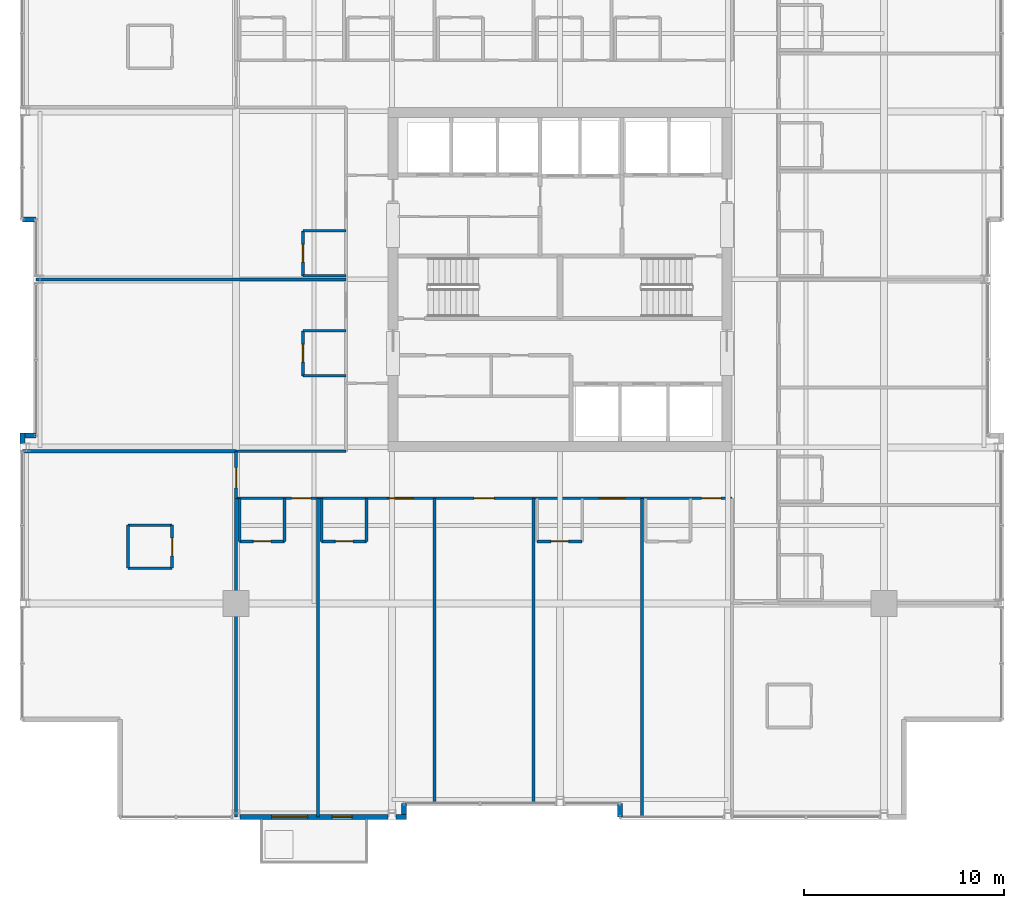
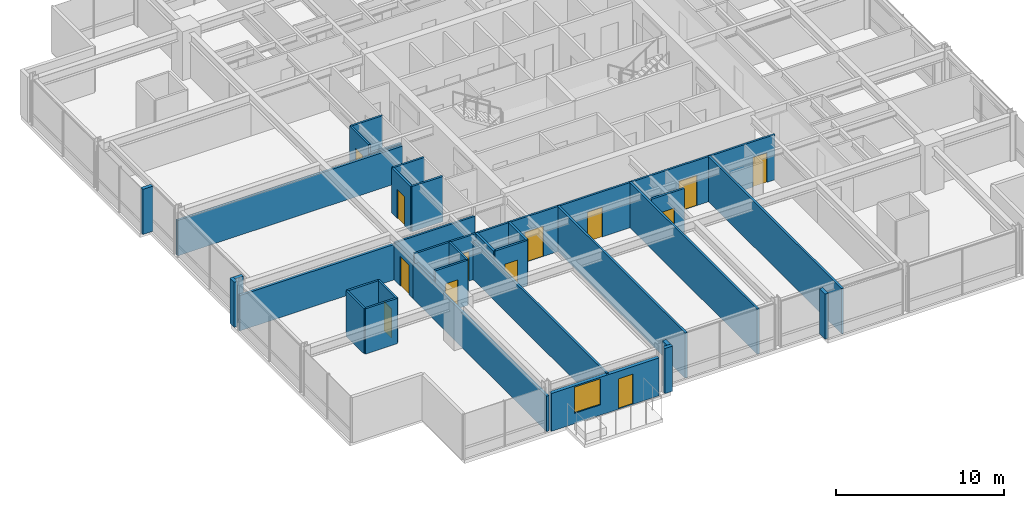
# One storey, part 26 of 32: 34 walls, 13 doors, 1 window, 14 openings.
"""IFC4 building model written with IfcOpenShell, lengths in metres."""

from ifc_helpers import new_model, si_unit, direction, frame, frame_2d, origin, place, context, subcontext, project, spatial, rectangle, extrude, material, layer, layer_set, type_object, element, fill, save


model = new_model("IFC4")

# Units and contexts
model_context = context("Model", 3, precision=1e-05, world=origin(), true_north=direction((0.0, 1.0)))
body_context = subcontext(model_context, "Body", "Model", "MODEL_VIEW")
ifc_project = project(units=[si_unit("LENGTHUNIT", "METRE"), si_unit("AREAUNIT", "SQUARE_METRE"), si_unit("VOLUMEUNIT", "CUBIC_METRE"), si_unit("PLANEANGLEUNIT", "RADIAN"), si_unit("MASSUNIT", "GRAM", prefix="KILO")], contexts=[model_context])

# Site, building, storey
site_placement = place(None, origin())
site = spatial("IfcSite", under=ifc_project, at=site_placement, CompositionType="ELEMENT")
building_placement = place(site_placement, origin())
building = spatial("IfcBuilding", under=site, at=building_placement, Name="Drelvath Grand Hotel", CompositionType="ELEMENT")
storey_placement = place(building_placement, frame((0.0, 0.0, 150.39990234375)))
storey = spatial("IfcBuildingStorey", under=building, at=storey_placement, Name="L38", CompositionType="ELEMENT", Elevation=150.39990234375)

# Wall
ifc_material_1 = material(Name="Gypsum Fireboard Partition")
ifc_layer_1 = layer(ifc_material_1, 0.135009765625)
ifc_layer_set_1 = layer_set([ifc_layer_1], Name="Gypsum Fireboard Partition")
wall_type_1 = type_object("IfcWallType", Name="Corridor Fire Barrier Wall 135", PredefinedType="PARTITIONING", material=ifc_layer_set_1)
wall_1_placement = place(storey_placement, frame((-16.199951171875, 18.39990234375, 0.0), z_axis=(0.0, 0.0, 1.0), x_axis=(1.0, 0.0, 0.0)))
element("IfcWall", 1, at=wall_1_placement, inside=storey, type_object=wall_type_1, Name="L38 SW Stub North Wall", PredefinedType="PARTITIONING", context=body_context, shape_type="SweptSolid", body=[
    extrude(rectangle(XDim=5.5, YDim=0.135009765625, at=frame_2d((2.75, 0.0))), origin(), (0.0, 0.0, 1.0), 2.66748046875),
])

# Wall, openings, doors
wall_2_placement = place(storey_placement, frame((-16.199951171875, 16.050048828125, 0.0), z_axis=(0.0, 0.0, 1.0), x_axis=(1.0, 0.0, 0.0)))
wall_2 = element("IfcWall", 2, at=wall_2_placement, inside=storey, type_object=wall_type_1, Name="L38 South Stub Corridor Wall", PredefinedType="PARTITIONING", context=body_context, shape_type="SweptSolid", body=[
    extrude(rectangle(XDim=24.800048828125, YDim=0.135009765625, at=frame_2d((12.39990234375, 0.0))), origin(), (0.0, 0.0, 1.0), 3.2900390625),
])
opening_1_placement = place(wall_2_placement, frame((2.784912109375, 0.0, 0.0)))
opening_1 = element("IfcOpeningElement", 3, at=opening_1_placement, cuts=wall_2, Name="Opening D-T3G1-035", PredefinedType="OPENING", context=body_context, shape_type="SweptSolid", body=[
    extrude(rectangle(XDim=0.9599609375, YDim=2.14990234375, at=frame_2d((0.47998046875, 1.074951171875))), frame((0.0, 0.077392578125, 0.0), z_axis=(0.0, -1.0, 0.0), x_axis=(1.0, 0.0, 0.0)), (0.0, 0.0, 1.0), 0.155029296875),
])
opening_2_placement = place(wall_2_placement, frame((7.594970703125, 0.0, 0.0)))
opening_2 = element("IfcOpeningElement", 4, at=opening_2_placement, cuts=wall_2, Name="Opening D-T3G1-037", PredefinedType="OPENING", context=body_context, shape_type="SweptSolid", body=[
    extrude(rectangle(XDim=1.260009765625, YDim=2.199951171875, at=frame_2d((0.6298828125, 1.10009765625))), frame((0.0, 0.077392578125, 0.0), z_axis=(0.0, -1.0, 0.0), x_axis=(1.0, 0.0, 0.0)), (0.0, 0.0, 1.0), 0.155029296875),
])
opening_3_placement = place(wall_2_placement, frame((11.889892578125, 0.0, 0.0)))
opening_3 = element("IfcOpeningElement", 5, at=opening_3_placement, cuts=wall_2, Name="Opening D-T3G1-038", PredefinedType="OPENING", context=body_context, shape_type="SweptSolid", body=[
    extrude(rectangle(XDim=1.02001953125, YDim=2.14990234375, at=frame_2d((0.510009765625, 1.074951171875))), frame((0.0, 0.077392578125, 0.0), z_axis=(0.0, -1.0, 0.0), x_axis=(1.0, 0.0, 0.0)), (0.0, 0.0, 1.0), 0.155029296875),
])
opening_4_placement = place(wall_2_placement, frame((18.17041015625, 0.0, 0.0)))
opening_4 = element("IfcOpeningElement", 6, at=opening_4_placement, cuts=wall_2, Name="Opening D-T3G1-040", PredefinedType="OPENING", context=body_context, shape_type="SweptSolid", body=[
    extrude(rectangle(XDim=1.260009765625, YDim=2.199951171875, at=frame_2d((0.6298828125, 1.10009765625))), frame((0.0, 0.077392578125, 0.0), z_axis=(0.0, -1.0, 0.0), x_axis=(1.0, 0.0, 0.0)), (0.0, 0.0, 1.0), 0.155029296875),
])
opening_5_placement = place(wall_2_placement, frame((23.280517578125, 0.0, 0.0)))
opening_5 = element("IfcOpeningElement", 7, at=opening_5_placement, cuts=wall_2, Name="Opening D-T3G1-042", PredefinedType="OPENING", context=body_context, shape_type="SweptSolid", body=[
    extrude(rectangle(XDim=0.9599609375, YDim=2.14990234375, at=frame_2d((0.47998046875, 1.074951171875))), frame((0.0, 0.077392578125, 0.0), z_axis=(0.0, -1.0, 0.0), x_axis=(1.0, 0.0, 0.0)), (0.0, 0.0, 1.0), 0.155029296875),
])
ifc_material_2 = material(Name="Hardwood Walnut Timber", Category="wood")
door_type_1 = type_object("IfcDoorType", Name="Amenity Meeting Fire Door 1020x2150", OperationType="NOTDEFINED", PredefinedType="DOOR", material=ifc_material_2)
door_1_placement = place(opening_3_placement, origin())
door_1 = element("IfcDoor", 8, at=door_1_placement, inside=storey, type_object=door_type_1, Name="L38 Sky Tea Lounge Entry Door", OperationType="SINGLE_SWING_RIGHT", OverallHeight=2.14990234375, OverallWidth=1.02001953125, PredefinedType="DOOR", context=body_context, shape_type="SweptSolid", body=[
    extrude(rectangle(XDim=1.02001953125, YDim=2.14990234375, at=frame_2d((0.510009765625, 1.074951171875))), frame((0.0, 0.02490234375, 0.0), z_axis=(0.0, -1.0, 0.0), x_axis=(1.0, 0.0, 0.0)), (0.0, 0.0, 1.0), 0.050048828125),
])
fill(opening_3, door_1)
door_type_2 = type_object("IfcDoorType", Name="Guestroom Entrance Fire Door 960x2150", OperationType="NOTDEFINED", PredefinedType="DOOR", material=ifc_material_2)
door_2_placement = place(opening_1_placement, origin())
door_2 = element("IfcDoor", 9, at=door_2_placement, inside=storey, type_object=door_type_2, Name="L38 King Guest Room Entry Door", OperationType="SINGLE_SWING_LEFT", OverallHeight=2.14990234375, OverallWidth=0.9599609375, PredefinedType="DOOR", context=body_context, shape_type="SweptSolid", body=[
    extrude(rectangle(XDim=0.9599609375, YDim=2.14990234375, at=frame_2d((0.47998046875, 1.074951171875))), frame((0.0, 0.02490234375, 0.0), z_axis=(0.0, -1.0, 0.0), x_axis=(1.0, 0.0, 0.0)), (0.0, 0.0, 1.0), 0.050048828125),
])
fill(opening_1, door_2)
door_3_placement = place(opening_5_placement, origin())
door_3 = element("IfcDoor", 10, at=door_3_placement, inside=storey, type_object=door_type_2, Name="L38 King Guest Room Entry Door", OperationType="SINGLE_SWING_RIGHT", OverallHeight=2.14990234375, OverallWidth=0.9599609375, PredefinedType="DOOR", context=body_context, shape_type="SweptSolid", body=[
    extrude(rectangle(XDim=0.9599609375, YDim=2.14990234375, at=frame_2d((0.47998046875, 1.074951171875))), frame((0.0, 0.02490234375, 0.0), z_axis=(0.0, -1.0, 0.0), x_axis=(1.0, 0.0, 0.0)), (0.0, 0.0, 1.0), 0.050048828125),
])
fill(opening_5, door_3)
door_type_3 = type_object("IfcDoorType", Name="Suite Entrance Fire Door 1260x2200", OperationType="NOTDEFINED", PredefinedType="DOOR", material=ifc_material_2)
door_4_placement = place(opening_2_placement, origin())
door_4 = element("IfcDoor", 11, at=door_4_placement, inside=storey, type_object=door_type_3, Name="L38 Executive Suite Entry Door", OperationType="SINGLE_SWING_LEFT", OverallHeight=2.199951171875, OverallWidth=1.260009765625, PredefinedType="DOOR", context=body_context, shape_type="SweptSolid", body=[
    extrude(rectangle(XDim=1.260009765625, YDim=2.199951171875, at=frame_2d((0.6298828125, 1.10009765625))), frame((0.0, 0.02490234375, 0.0), z_axis=(0.0, -1.0, 0.0), x_axis=(1.0, 0.0, 0.0)), (0.0, 0.0, 1.0), 0.050048828125),
])
fill(opening_2, door_4)
door_5_placement = place(opening_4_placement, origin())
door_5 = element("IfcDoor", 12, at=door_5_placement, inside=storey, type_object=door_type_3, Name="L38 Executive Suite Entry Door", OperationType="SINGLE_SWING_RIGHT", OverallHeight=2.199951171875, OverallWidth=1.260009765625, PredefinedType="DOOR", context=body_context, shape_type="SweptSolid", body=[
    extrude(rectangle(XDim=1.260009765625, YDim=2.199951171875, at=frame_2d((0.6298828125, 1.10009765625))), frame((0.0, 0.02490234375, 0.0), z_axis=(0.0, -1.0, 0.0), x_axis=(1.0, 0.0, 0.0)), (0.0, 0.0, 1.0), 0.050048828125),
])
fill(opening_4, door_5)

# Wall, opening, door
wall_3_placement = place(storey_placement, frame((-16.199951171875, 16.050048828125, 0.0), z_axis=(0.0, 0.0, 1.0), x_axis=(0.0, 1.0, 0.0)))
wall_3 = element("IfcWall", 13, at=wall_3_placement, inside=storey, type_object=wall_type_1, Name="L38 South Stub West End", PredefinedType="PARTITIONING", context=body_context, shape_type="SweptSolid", body=[
    extrude(rectangle(XDim=2.349853515625, YDim=0.135009765625, at=frame_2d((1.1748046875, 0.0))), origin(), (0.0, 0.0, 1.0), 2.57958984375),
])
opening_6_placement = place(wall_3_placement, frame((0.52001953125, 0.0, 0.0)))
opening_6 = element("IfcOpeningElement", 14, at=opening_6_placement, cuts=wall_3, Name="Opening D-T3G1-027", PredefinedType="OPENING", context=body_context, shape_type="SweptSolid", body=[
    extrude(rectangle(XDim=1.02001953125, YDim=2.14990234375, at=frame_2d((0.510009765625, 1.074951171875))), frame((0.0, 0.077392578125, 0.0), z_axis=(0.0, -1.0, 0.0), x_axis=(1.0, 0.0, 0.0)), (0.0, 0.0, 1.0), 0.155029296875),
])
door_6_placement = place(opening_6_placement, origin())
door_6 = element("IfcDoor", 15, at=door_6_placement, inside=storey, type_object=door_type_1, Name="L38 Executive Suite Entry Door", OperationType="SINGLE_SWING_LEFT", OverallHeight=2.14990234375, OverallWidth=1.02001953125, PredefinedType="DOOR", context=body_context, shape_type="SweptSolid", body=[
    extrude(rectangle(XDim=1.02001953125, YDim=2.14990234375, at=frame_2d((0.510009765625, 1.074951171875))), frame((0.0, 0.02490234375, 0.0), z_axis=(0.0, -1.0, 0.0), x_axis=(1.0, 0.0, 0.0)), (0.0, 0.0, 1.0), 0.050048828125),
])
fill(opening_6, door_6)

# Walls
ifc_material_3 = material(Name="Moisture-Resistant Gypsum Board")
ifc_layer_2 = layer(ifc_material_3, 0.139892578125)
ifc_layer_set_2 = layer_set([ifc_layer_2], Name="Moisture-Resistant Gypsum Board")
wall_type_2 = type_object("IfcWallType", Name="En-Suite Plumbing Wall 140", PredefinedType="PLUMBINGWALL", material=ifc_layer_set_2)
for number, where, z_axis, x_axis, name in (
    (16, (-21.60009765625, 12.56005859375, 0.0), (0.0, 0.0, 1.0), (1.0, 0.0, 0.0), "L38 Corner En-Suite South"),
    (17, (-21.60009765625, 14.7099609375, 0.0), (0.0, 0.0, 1.0), (1.0, 0.0, 0.0), "L38 Corner En-Suite North"),
):
    element("IfcWall", number, at=place(storey_placement, frame(where, z_axis=z_axis, x_axis=x_axis)), inside=storey, type_object=wall_type_2, Name=name, PredefinedType="PLUMBINGWALL", context=body_context, shape_type="SweptSolid", body=[
        extrude(rectangle(XDim=2.2001953125, YDim=0.139892578125, at=frame_2d((1.10009765625, 0.0))), origin(), (0.0, 0.0, 1.0), 3.2900390625),
    ])
wall_4_placement = place(storey_placement, frame((-21.60009765625, 12.56005859375, 0.0), z_axis=(0.0, 0.0, 1.0), x_axis=(0.0, 1.0, 0.0)))
element("IfcWall", 18, at=wall_4_placement, inside=storey, type_object=wall_type_2, Name="L38 Corner En-Suite West", PredefinedType="PLUMBINGWALL", context=body_context, shape_type="SweptSolid", body=[
    extrude(rectangle(XDim=2.14990234375, YDim=0.139892578125, at=frame_2d((1.074951171875, 0.0))), origin(), (0.0, 0.0, 1.0), 3.2900390625),
])

# Wall, opening, door
wall_5_placement = place(storey_placement, frame((-19.39990234375, 12.56005859375, 0.0), z_axis=(0.0, 0.0, 1.0), x_axis=(0.0, 1.0, 0.0)))
wall_5 = element("IfcWall", 19, at=wall_5_placement, inside=storey, type_object=wall_type_2, Name="L38 Corner En-Suite East", PredefinedType="PLUMBINGWALL", context=body_context, shape_type="SweptSolid", body=[
    extrude(rectangle(XDim=2.14990234375, YDim=0.139892578125, at=frame_2d((1.074951171875, 0.0))), origin(), (0.0, 0.0, 1.0), 3.2900390625),
])
opening_7_placement = place(wall_5_placement, frame((0.6201171875, 0.0, 0.0)))
opening_7 = element("IfcOpeningElement", 20, at=opening_7_placement, cuts=wall_5, Name="Opening D-T3G1-026", PredefinedType="OPENING", context=body_context, shape_type="SweptSolid", body=[
    extrude(rectangle(XDim=0.8798828125, YDim=2.10009765625, at=frame_2d((0.43994140625, 1.050048828125))), frame((0.0, 0.079833984375, 0.0), z_axis=(0.0, -1.0, 0.0), x_axis=(1.0, 0.0, 0.0)), (0.0, 0.0, 1.0), 0.159912109375),
])
door_type_4 = type_object("IfcDoorType", Name="En-Suite Bathroom Door 880x2100", OperationType="NOTDEFINED", PredefinedType="DOOR", material=ifc_material_2)
door_7_placement = place(opening_7_placement, origin())
door_7 = element("IfcDoor", 21, at=door_7_placement, inside=storey, type_object=door_type_4, Name="L38 Corner En-Suite Door", OperationType="SINGLE_SWING_RIGHT", OverallHeight=2.10009765625, OverallWidth=0.8798828125, PredefinedType="DOOR", context=body_context, shape_type="SweptSolid", body=[
    extrude(rectangle(XDim=0.8798828125, YDim=2.10009765625, at=frame_2d((0.43994140625, 1.050048828125))), frame((0.0, 0.02490234375, 0.0), z_axis=(0.0, -1.0, 0.0), x_axis=(1.0, 0.0, 0.0)), (0.0, 0.0, 1.0), 0.050048828125),
])
fill(opening_7, door_7)

# Walls
wall_6_placement = place(storey_placement, frame((-16.02001953125, 16.050048828125, 0.0), z_axis=(0.0, 0.0, 1.0), x_axis=(0.0, -1.0, 0.0)))
element("IfcWall", 22, at=wall_6_placement, inside=storey, type_object=wall_type_2, Name="L38 En-Suite Left Wall", PredefinedType="PLUMBINGWALL", context=body_context, shape_type="SweptSolid", body=[
    extrude(rectangle(XDim=2.150146484375, YDim=0.139892578125, at=frame_2d((1.0751953125, 0.0))), origin(), (0.0, 0.0, 1.0), 2.57958984375),
])
wall_7_placement = place(storey_placement, frame((-13.77001953125, 16.050048828125, 0.0), z_axis=(0.0, 0.0, 1.0), x_axis=(0.0, -1.0, 0.0)))
element("IfcWall", 23, at=wall_7_placement, inside=storey, type_object=wall_type_2, Name="L38 En-Suite Right Wall", PredefinedType="PLUMBINGWALL", context=body_context, shape_type="SweptSolid", body=[
    extrude(rectangle(XDim=2.150146484375, YDim=0.139892578125, at=frame_2d((1.0751953125, 0.0))), origin(), (0.0, 0.0, 1.0), 3.2900390625),
])

# Wall, opening, door
wall_8_placement = place(storey_placement, frame((-16.02001953125, 13.89990234375, 0.0), z_axis=(0.0, 0.0, 1.0), x_axis=(1.0, 0.0, 0.0)))
wall_8 = element("IfcWall", 24, at=wall_8_placement, inside=storey, type_object=wall_type_2, Name="L38 En-Suite Front Wall", PredefinedType="PLUMBINGWALL", context=body_context, shape_type="SweptSolid", body=[
    extrude(rectangle(XDim=2.25, YDim=0.139892578125, at=frame_2d((1.125, 0.0))), origin(), (0.0, 0.0, 1.0), 3.2900390625),
])
opening_8_placement = place(wall_8_placement, frame((0.68505859375, 0.0, 0.0)))
opening_8 = element("IfcOpeningElement", 25, at=opening_8_placement, cuts=wall_8, Name="Opening D-T3G1-034", PredefinedType="OPENING", context=body_context, shape_type="SweptSolid", body=[
    extrude(rectangle(XDim=0.8798828125, YDim=2.10009765625, at=frame_2d((0.43994140625, 1.050048828125))), frame((0.0, 0.079833984375, 0.0), z_axis=(0.0, -1.0, 0.0), x_axis=(1.0, 0.0, 0.0)), (0.0, 0.0, 1.0), 0.159912109375),
])
door_8_placement = place(opening_8_placement, origin())
door_8 = element("IfcDoor", 26, at=door_8_placement, inside=storey, type_object=door_type_4, Name="L38 En-Suite Bathroom Door", OperationType="SINGLE_SWING_RIGHT", OverallHeight=2.10009765625, OverallWidth=0.8798828125, PredefinedType="DOOR", context=body_context, shape_type="SweptSolid", body=[
    extrude(rectangle(XDim=0.8798828125, YDim=2.10009765625, at=frame_2d((0.43994140625, 1.050048828125))), frame((0.0, 0.02490234375, 0.0), z_axis=(0.0, -1.0, 0.0), x_axis=(1.0, 0.0, 0.0)), (0.0, 0.0, 1.0), 0.050048828125),
])
fill(opening_8, door_8)

# Walls
for number, where, z_axis, x_axis, name in (
    (27, (-11.919921875, 16.050048828125, 0.0), (0.0, 0.0, 1.0), (0.0, -1.0, 0.0), "L38 En-Suite Left Wall"),
    (28, (-9.669921875, 16.050048828125, 0.0), (0.0, 0.0, 1.0), (0.0, -1.0, 0.0), "L38 En-Suite Right Wall"),
):
    element("IfcWall", number, at=place(storey_placement, frame(where, z_axis=z_axis, x_axis=x_axis)), inside=storey, type_object=wall_type_2, Name=name, PredefinedType="PLUMBINGWALL", context=body_context, shape_type="SweptSolid", body=[
        extrude(rectangle(XDim=2.150146484375, YDim=0.139892578125, at=frame_2d((1.0751953125, 0.0))), origin(), (0.0, 0.0, 1.0), 3.2900390625),
    ])

# Wall, opening, door
wall_9_placement = place(storey_placement, frame((-11.919921875, 13.89990234375, 0.0), z_axis=(0.0, 0.0, 1.0), x_axis=(1.0, 0.0, 0.0)))
wall_9 = element("IfcWall", 29, at=wall_9_placement, inside=storey, type_object=wall_type_2, Name="L38 En-Suite Front Wall", PredefinedType="PLUMBINGWALL", context=body_context, shape_type="SweptSolid", body=[
    extrude(rectangle(XDim=2.25, YDim=0.139892578125, at=frame_2d((1.125, 0.0))), origin(), (0.0, 0.0, 1.0), 3.2900390625),
])
opening_9_placement = place(wall_9_placement, frame((0.68505859375, 0.0, 0.0)))
opening_9 = element("IfcOpeningElement", 30, at=opening_9_placement, cuts=wall_9, Name="Opening D-T3G1-036", PredefinedType="OPENING", context=body_context, shape_type="SweptSolid", body=[
    extrude(rectangle(XDim=0.8798828125, YDim=2.10009765625, at=frame_2d((0.43994140625, 1.050048828125))), frame((0.0, 0.079833984375, 0.0), z_axis=(0.0, -1.0, 0.0), x_axis=(1.0, 0.0, 0.0)), (0.0, 0.0, 1.0), 0.159912109375),
])
door_9_placement = place(opening_9_placement, origin())
door_9 = element("IfcDoor", 31, at=door_9_placement, inside=storey, type_object=door_type_4, Name="L38 En-Suite Bathroom Door", OperationType="SINGLE_SWING_RIGHT", OverallHeight=2.10009765625, OverallWidth=0.8798828125, PredefinedType="DOOR", context=body_context, shape_type="SweptSolid", body=[
    extrude(rectangle(XDim=0.8798828125, YDim=2.10009765625, at=frame_2d((0.43994140625, 1.050048828125))), frame((0.0, 0.02490234375, 0.0), z_axis=(0.0, -1.0, 0.0), x_axis=(1.0, 0.0, 0.0)), (0.0, 0.0, 1.0), 0.050048828125),
])
fill(opening_9, door_9)

wall_10_placement = place(storey_placement, frame((-1.139892578125, 13.89990234375, 0.0), z_axis=(0.0, 0.0, 1.0), x_axis=(1.0, 0.0, 0.0)))
wall_10 = element("IfcWall", 32, at=wall_10_placement, inside=storey, type_object=wall_type_2, Name="L38 En-Suite Front Wall", PredefinedType="PLUMBINGWALL", context=body_context, shape_type="SweptSolid", body=[
    extrude(rectangle(XDim=2.25, YDim=0.139892578125, at=frame_2d((1.125, 0.0))), origin(), (0.0, 0.0, 1.0), 3.2900390625),
])
opening_10_placement = place(wall_10_placement, frame((0.68505859375, 0.0, 0.0)))
opening_10 = element("IfcOpeningElement", 33, at=opening_10_placement, cuts=wall_10, Name="Opening D-T3G1-039", PredefinedType="OPENING", context=body_context, shape_type="SweptSolid", body=[
    extrude(rectangle(XDim=0.8798828125, YDim=2.10009765625, at=frame_2d((0.43994140625, 1.050048828125))), frame((0.0, 0.079833984375, 0.0), z_axis=(0.0, -1.0, 0.0), x_axis=(1.0, 0.0, 0.0)), (0.0, 0.0, 1.0), 0.159912109375),
])
door_10_placement = place(opening_10_placement, origin())
door_10 = element("IfcDoor", 34, at=door_10_placement, inside=storey, type_object=door_type_4, Name="L38 En-Suite Bathroom Door", OperationType="SINGLE_SWING_LEFT", OverallHeight=2.10009765625, OverallWidth=0.8798828125, PredefinedType="DOOR", context=body_context, shape_type="SweptSolid", body=[
    extrude(rectangle(XDim=0.8798828125, YDim=2.10009765625, at=frame_2d((0.43994140625, 1.050048828125))), frame((0.0, 0.02490234375, 0.0), z_axis=(0.0, -1.0, 0.0), x_axis=(1.0, 0.0, 0.0)), (0.0, 0.0, 1.0), 0.050048828125),
])
fill(opening_10, door_10)

# Walls
for number, where, z_axis, x_axis, name in (
    (35, (-10.699951171875, 22.179931640625, 0.0), (0.0, 0.0, 1.0), (-1.0, 0.0, 0.0), "L38 En-Suite Left Wall"),
    (36, (-10.699951171875, 24.429931640625, 0.0), (0.0, 0.0, 1.0), (-1.0, 0.0, 0.0), "L38 En-Suite Right Wall"),
):
    element("IfcWall", number, at=place(storey_placement, frame(where, z_axis=z_axis, x_axis=x_axis)), inside=storey, type_object=wall_type_2, Name=name, PredefinedType="PLUMBINGWALL", context=body_context, shape_type="SweptSolid", body=[
        extrude(rectangle(XDim=2.150146484375, YDim=0.139892578125, at=frame_2d((1.0751953125, 0.0))), origin(), (0.0, 0.0, 1.0), 3.2900390625),
    ])

# Wall, opening, door
wall_11_placement = place(storey_placement, frame((-12.85009765625, 22.179931640625, 0.0), z_axis=(0.0, 0.0, 1.0), x_axis=(0.0, 1.0, 0.0)))
wall_11 = element("IfcWall", 37, at=wall_11_placement, inside=storey, type_object=wall_type_2, Name="L38 En-Suite Front Wall", PredefinedType="PLUMBINGWALL", context=body_context, shape_type="SweptSolid", body=[
    extrude(rectangle(XDim=2.25, YDim=0.139892578125, at=frame_2d((1.125, 0.0))), origin(), (0.0, 0.0, 1.0), 3.2900390625),
])
opening_11_placement = place(wall_11_placement, frame((0.68505859375, 0.0, 0.0)))
opening_11 = element("IfcOpeningElement", 38, at=opening_11_placement, cuts=wall_11, Name="Opening D-T3G1-064", PredefinedType="OPENING", context=body_context, shape_type="SweptSolid", body=[
    extrude(rectangle(XDim=0.8798828125, YDim=2.10009765625, at=frame_2d((0.43994140625, 1.050048828125))), frame((0.0, 0.079833984375, 0.0), z_axis=(0.0, -1.0, 0.0), x_axis=(1.0, 0.0, 0.0)), (0.0, 0.0, 1.0), 0.159912109375),
])
door_11_placement = place(opening_11_placement, origin())
door_11 = element("IfcDoor", 39, at=door_11_placement, inside=storey, type_object=door_type_4, Name="L38 En-Suite Bathroom Door", OperationType="SINGLE_SWING_RIGHT", OverallHeight=2.10009765625, OverallWidth=0.8798828125, PredefinedType="DOOR", context=body_context, shape_type="SweptSolid", body=[
    extrude(rectangle(XDim=0.8798828125, YDim=2.10009765625, at=frame_2d((0.43994140625, 1.050048828125))), frame((0.0, 0.02490234375, 0.0), z_axis=(0.0, -1.0, 0.0), x_axis=(1.0, 0.0, 0.0)), (0.0, 0.0, 1.0), 0.050048828125),
])
fill(opening_11, door_11)

# Walls
wall_12_placement = place(storey_placement, frame((-10.699951171875, 27.179931640625, 0.0), z_axis=(0.0, 0.0, 1.0), x_axis=(-1.0, 0.0, 0.0)))
element("IfcWall", 40, at=wall_12_placement, inside=storey, type_object=wall_type_2, Name="L38 En-Suite Left Wall", PredefinedType="PLUMBINGWALL", context=body_context, shape_type="SweptSolid", body=[
    extrude(rectangle(XDim=2.150146484375, YDim=0.139892578125, at=frame_2d((1.0751953125, 0.0))), origin(), (0.0, 0.0, 1.0), 2.66748046875),
])
wall_13_placement = place(storey_placement, frame((-10.699951171875, 29.429931640625, 0.0), z_axis=(0.0, 0.0, 1.0), x_axis=(-1.0, 0.0, 0.0)))
element("IfcWall", 41, at=wall_13_placement, inside=storey, type_object=wall_type_2, Name="L38 En-Suite Right Wall", PredefinedType="PLUMBINGWALL", context=body_context, shape_type="SweptSolid", body=[
    extrude(rectangle(XDim=2.150146484375, YDim=0.139892578125, at=frame_2d((1.0751953125, 0.0))), origin(), (0.0, 0.0, 1.0), 3.2900390625),
])

# Wall, opening, door
wall_14_placement = place(storey_placement, frame((-12.85009765625, 27.179931640625, 0.0), z_axis=(0.0, 0.0, 1.0), x_axis=(0.0, 1.0, 0.0)))
wall_14 = element("IfcWall", 42, at=wall_14_placement, inside=storey, type_object=wall_type_2, Name="L38 En-Suite Front Wall", PredefinedType="PLUMBINGWALL", context=body_context, shape_type="SweptSolid", body=[
    extrude(rectangle(XDim=2.25, YDim=0.139892578125, at=frame_2d((1.125, 0.0))), origin(), (0.0, 0.0, 1.0), 3.2900390625),
])
opening_12_placement = place(wall_14_placement, frame((0.68505859375, 0.0, 0.0)))
opening_12 = element("IfcOpeningElement", 43, at=opening_12_placement, cuts=wall_14, Name="Opening D-T3G1-066", PredefinedType="OPENING", context=body_context, shape_type="SweptSolid", body=[
    extrude(rectangle(XDim=0.8798828125, YDim=2.10009765625, at=frame_2d((0.43994140625, 1.050048828125))), frame((0.0, 0.079833984375, 0.0), z_axis=(0.0, -1.0, 0.0), x_axis=(1.0, 0.0, 0.0)), (0.0, 0.0, 1.0), 0.159912109375),
])
door_12_placement = place(opening_12_placement, origin())
door_12 = element("IfcDoor", 44, at=door_12_placement, inside=storey, type_object=door_type_4, Name="L38 En-Suite Bathroom Door", OperationType="SINGLE_SWING_RIGHT", OverallHeight=2.10009765625, OverallWidth=0.8798828125, PredefinedType="DOOR", context=body_context, shape_type="SweptSolid", body=[
    extrude(rectangle(XDim=0.8798828125, YDim=2.10009765625, at=frame_2d((0.43994140625, 1.050048828125))), frame((0.0, 0.02490234375, 0.0), z_axis=(0.0, -1.0, 0.0), x_axis=(1.0, 0.0, 0.0)), (0.0, 0.0, 1.0), 0.050048828125),
])
fill(opening_12, door_12)

# Walls
ifc_material_4 = material(Name="Gypsum Acoustic Partition")
ifc_layer_3 = layer(ifc_material_4, 0.14990234375)
ifc_layer_set_3 = layer_set([ifc_layer_3], Name="Gypsum Acoustic Partition")
wall_type_3 = type_object("IfcWallType", Name="Guestroom Demising Wall 150", PredefinedType="PARTITIONING", material=ifc_layer_set_3)
wall_15_placement = place(storey_placement, frame((-12.10009765625, 0.1201171875, 0.0), z_axis=(0.0, 0.0, 1.0), x_axis=(0.0, 1.0, 0.0)))
element("IfcWall", 45, at=wall_15_placement, inside=storey, type_object=wall_type_3, Name="L38 South Demising 1", PredefinedType="PARTITIONING", context=body_context, shape_type="SweptSolid", body=[
    extrude(rectangle(XDim=15.929931640625, YDim=0.14990234375, at=frame_2d((7.96484375, 0.0))), origin(), (0.0, 0.0, 1.0), 2.815185546875),
])
for number, where, z_axis, x_axis, name in (
    (46, (-6.280029296875, 0.800048828125, 0.0), (0.0, 0.0, 1.0), (0.0, 1.0, 0.0), "L38 South Demising 2"),
    (47, (-1.320068359375, 0.800048828125, 0.0), (0.0, 0.0, 1.0), (0.0, 1.0, 0.0), "L38 South Demising 3"),
):
    element("IfcWall", number, at=place(storey_placement, frame(where, z_axis=z_axis, x_axis=x_axis)), inside=storey, type_object=wall_type_3, Name=name, PredefinedType="PARTITIONING", context=body_context, shape_type="SweptSolid", body=[
        extrude(rectangle(XDim=15.25, YDim=0.14990234375, at=frame_2d((7.625, 0.0))), origin(), (0.0, 0.0, 1.0), 3.2900390625),
    ])
wall_16_placement = place(storey_placement, frame((4.0908203125, 0.1201171875, 0.0), z_axis=(0.0, 0.0, 1.0), x_axis=(0.0, 1.0, 0.0)))
element("IfcWall", 48, at=wall_16_placement, inside=storey, type_object=wall_type_3, Name="L38 South Demising 4", PredefinedType="PARTITIONING", context=body_context, shape_type="SweptSolid", body=[
    extrude(rectangle(XDim=15.929931640625, YDim=0.14990234375, at=frame_2d((7.96484375, 0.0))), origin(), (0.0, 0.0, 1.0), 3.2900390625),
])
wall_17_placement = place(storey_placement, frame((-26.199951171875, 27.0, 0.0), z_axis=(0.0, 0.0, 1.0), x_axis=(1.0, 0.0, 0.0)))
element("IfcWall", 49, at=wall_17_placement, inside=storey, type_object=wall_type_3, Name="L38 West Suite Demising Wall", PredefinedType="PARTITIONING", context=body_context, shape_type="SweptSolid", body=[
    extrude(rectangle(XDim=15.5, YDim=0.14990234375, at=frame_2d((7.75, 0.0))), origin(), (0.0, 0.0, 1.0), 2.57958984375),
])
ifc_layer_4 = layer(ifc_material_4, 0.1650390625)
ifc_layer_set_4 = layer_set([ifc_layer_4], Name="Gypsum Acoustic Partition")
wall_type_4 = type_object("IfcWallType", Name="Suite Demising Wall 165", PredefinedType="PARTITIONING", material=ifc_layer_set_4)
wall_18_placement = place(storey_placement, frame((-16.199951171875, 0.1201171875, 0.0), z_axis=(0.0, 0.0, 1.0), x_axis=(0.0, 1.0, 0.0)))
element("IfcWall", 50, at=wall_18_placement, inside=storey, type_object=wall_type_4, Name="L38 SW Suite East Wall", PredefinedType="PARTITIONING", context=body_context, shape_type="SweptSolid", body=[
    extrude(rectangle(XDim=15.929931640625, YDim=0.1650390625, at=frame_2d((7.96484375, 0.0))), origin(), (0.0, 0.0, 1.0), 2.57958984375),
])
wall_19_placement = place(storey_placement, frame((-26.8798828125, 18.39990234375, 0.0), z_axis=(0.0, 0.0, 1.0), x_axis=(1.0, 0.0, 0.0)))
element("IfcWall", 51, at=wall_19_placement, inside=storey, type_object=wall_type_4, Name="L38 SW Suite North Wall", PredefinedType="PARTITIONING", context=body_context, shape_type="SweptSolid", body=[
    extrude(rectangle(XDim=10.679931640625, YDim=0.1650390625, at=frame_2d((5.33984375, 0.0))), origin(), (0.0, 0.0, 1.0), 2.57958984375),
])
ifc_material_5 = material(Name="Pale-Metal Insulated Aluminium Spandrel Assembly", Category="aluminium")
ifc_layer_5 = layer(ifc_material_5, 0.239990234375)
ifc_layer_set_5 = layer_set([ifc_layer_5], Name="Pale-Metal Insulated Aluminium Spandrel Assembly")
wall_type_5 = type_object("IfcWallType", Name="Tower Insulated Metal Spandrel Closure Wall 240", PredefinedType="STANDARD", material=ifc_layer_set_5)
wall_20_placement = place(storey_placement, frame((-26.8798828125, 18.800048828125, 0.0), z_axis=(0.0, 0.0, 1.0), x_axis=(0.0, 1.0, 0.0)))
element("IfcWall", 52, at=wall_20_placement, inside=storey, type_object=wall_type_5, Name="L38 Corner Pier Spandrel Wall WS3", PredefinedType="STANDARD", context=body_context, shape_type="SweptSolid", body=[
    extrude(rectangle(XDim=0.52001953125, YDim=0.239990234375, at=frame_2d((0.260009765625, 0.0))), origin(), (0.0, 0.0, 1.0), 3.2900390625),
])

# Wall, openings, window, door
wall_21_placement = place(storey_placement, frame((-8.60009765625, 0.1201171875, 0.0), z_axis=(0.0, 0.0, 1.0), x_axis=(-1.0, 0.0, 0.0)))
wall_21 = element("IfcWall", 53, at=wall_21_placement, inside=storey, type_object=wall_type_5, Name="L38 Exterior Terrace Door Bay Wall SW2", PredefinedType="STANDARD", context=body_context, shape_type="SweptSolid", body=[
    extrude(rectangle(XDim=7.39990234375, YDim=0.239990234375, at=frame_2d((3.699951171875, 0.0))), origin(), (0.0, 0.0, 1.0), 2.75341796875),
])
opening_13_placement = place(wall_21_placement, frame((1.7998046875, 0.0, 0.0)))
opening_13 = element("IfcOpeningElement", 54, at=opening_13_placement, cuts=wall_21, Name="Opening TD-1000", PredefinedType="OPENING", context=body_context, shape_type="SweptSolid", body=[
    extrude(rectangle(XDim=1.0, YDim=2.199951171875, at=frame_2d((0.5, 1.10009765625))), frame((0.0, 0.1298828125, 0.0), z_axis=(0.0, -1.0, 0.0), x_axis=(1.0, 0.0, 0.0)), (0.0, 0.0, 1.0), 0.260009765625),
])
opening_14_placement = place(wall_21_placement, frame((4.02490234375, 0.0, 0.75)))
opening_14 = element("IfcOpeningElement", 55, at=opening_14_placement, cuts=wall_21, Name="Opening W-02", PredefinedType="OPENING", context=body_context, shape_type="SweptSolid", body=[
    extrude(rectangle(XDim=1.800048828125, YDim=1.9033203125, at=frame_2d((0.89990234375, 0.95166015625))), frame((0.0, 0.1298828125, 0.0), z_axis=(0.0, -1.0, 0.0), x_axis=(1.0, 0.0, 0.0)), (0.0, 0.0, 1.0), 0.260009765625),
])
ifc_material_6 = material(Name="Bronze Anodised Low-E Triple Glazing", Category="glass")
window_type = type_object("IfcWindowType", Name="Chicago Double-Pane Podium Window 1800x2400", PartitioningType="DOUBLE_PANEL_VERTICAL", PredefinedType="WINDOW", material=ifc_material_6)
window_placement = place(opening_14_placement, origin())
window = element("IfcWindow", 56, at=window_placement, inside=storey, type_object=window_type, Name="L38 Terrace Bay Companion Window SW2", OverallHeight=1.9033203125, OverallWidth=1.800048828125, PartitioningType="SINGLE_PANEL", PredefinedType="WINDOW", context=body_context, shape_type="SweptSolid", body=[
    extrude(rectangle(XDim=1.800048828125, YDim=1.9033203125, at=frame_2d((0.89990234375, 0.95166015625))), frame((0.0, 0.030029296875, 0.0), z_axis=(0.0, -1.0, 0.0), x_axis=(1.0, 0.0, 0.0)), (0.0, 0.0, 1.0), 0.06005859375),
])
fill(opening_14, window)
ifc_material_7 = material(Name="Anodised Aluminium Thermally Broken Glazed Door", Category="aluminium")
door_type_5 = type_object("IfcDoorType", Name="Terrace and Tree Balcony Glazed Door 1000x2200", OperationType="NOTDEFINED", PredefinedType="DOOR", material=ifc_material_7)
door_13_placement = place(opening_13_placement, origin())
door_13 = element("IfcDoor", 57, at=door_13_placement, inside=storey, type_object=door_type_5, Name="L38 Tree Balcony Door DOOR-L38-TBAL-1", OperationType="SINGLE_SWING_LEFT", OverallHeight=2.199951171875, OverallWidth=1.0, PredefinedType="DOOR", context=body_context, shape_type="SweptSolid", body=[
    extrude(rectangle(XDim=1.0, YDim=2.199951171875, at=frame_2d((0.5, 1.10009765625))), frame((0.0, 0.02490234375, 0.0), z_axis=(0.0, -1.0, 0.0), x_axis=(1.0, 0.0, 0.0)), (0.0, 0.0, 1.0), 0.050048828125),
])
fill(opening_13, door_13)

# Walls
wall_22_placement = place(storey_placement, frame((-7.679931640625, 0.1201171875, 0.0), z_axis=(0.0, 0.0, 1.0), x_axis=(-1.0, 0.0, 0.0)))
element("IfcWall", 58, at=wall_22_placement, inside=storey, type_object=wall_type_5, Name="L38 Corner Pier Spandrel Wall SW3", PredefinedType="STANDARD", context=body_context, shape_type="SweptSolid", body=[
    extrude(rectangle(XDim=0.52001953125, YDim=0.239990234375, at=frame_2d((0.260009765625, 0.0))), origin(), (0.0, 0.0, 1.0), 3.2900390625),
])
wall_23_placement = place(storey_placement, frame((-26.760009765625, 19.199951171875, 0.0), z_axis=(0.0, 0.0, 1.0), x_axis=(1.0, 0.0, 0.0)))
element("IfcWall", 59, at=wall_23_placement, inside=storey, type_object=wall_type_5, Name="L38 Notched Corner Return Spandrel Wall RW1", PredefinedType="STANDARD", context=body_context, shape_type="SweptSolid", body=[
    extrude(rectangle(XDim=0.56005859375, YDim=0.239990234375, at=frame_2d((0.280029296875, 0.0))), origin(), (0.0, 0.0, 1.0), 3.2900390625),
])
for number, where, z_axis, x_axis, name in (
    (60, (-26.199951171875, 30.0, 0.0), (0.0, 0.0, 1.0), (-1.0, 0.0, 0.0), "L38 Notched Corner Return Spandrel Wall RW2"),
    (61, (3.0, 0.1201171875, 0.0), (0.0, 0.0, 1.0), (0.0, 1.0, 0.0), "L38 Notched Corner Return Spandrel Wall RS1"),
):
    element("IfcWall", number, at=place(storey_placement, frame(where, z_axis=z_axis, x_axis=x_axis)), inside=storey, type_object=wall_type_5, Name=name, PredefinedType="STANDARD", context=body_context, shape_type="SweptSolid", body=[
        extrude(rectangle(XDim=0.679931640625, YDim=0.239990234375, at=frame_2d((0.33984375, 0.0))), origin(), (0.0, 0.0, 1.0), 3.2900390625),
    ])
wall_24_placement = place(storey_placement, frame((-7.800048828125, 0.800048828125, 0.0), z_axis=(0.0, 0.0, 1.0), x_axis=(0.0, -1.0, 0.0)))
element("IfcWall", 62, at=wall_24_placement, inside=storey, type_object=wall_type_5, Name="L38 Notched Corner Return Spandrel Wall RS2", PredefinedType="STANDARD", context=body_context, shape_type="SweptSolid", body=[
    extrude(rectangle(XDim=0.56005859375, YDim=0.239990234375, at=frame_2d((0.280029296875, 0.0))), origin(), (0.0, 0.0, 1.0), 3.2900390625),
])

save(model, "model.ifc")
